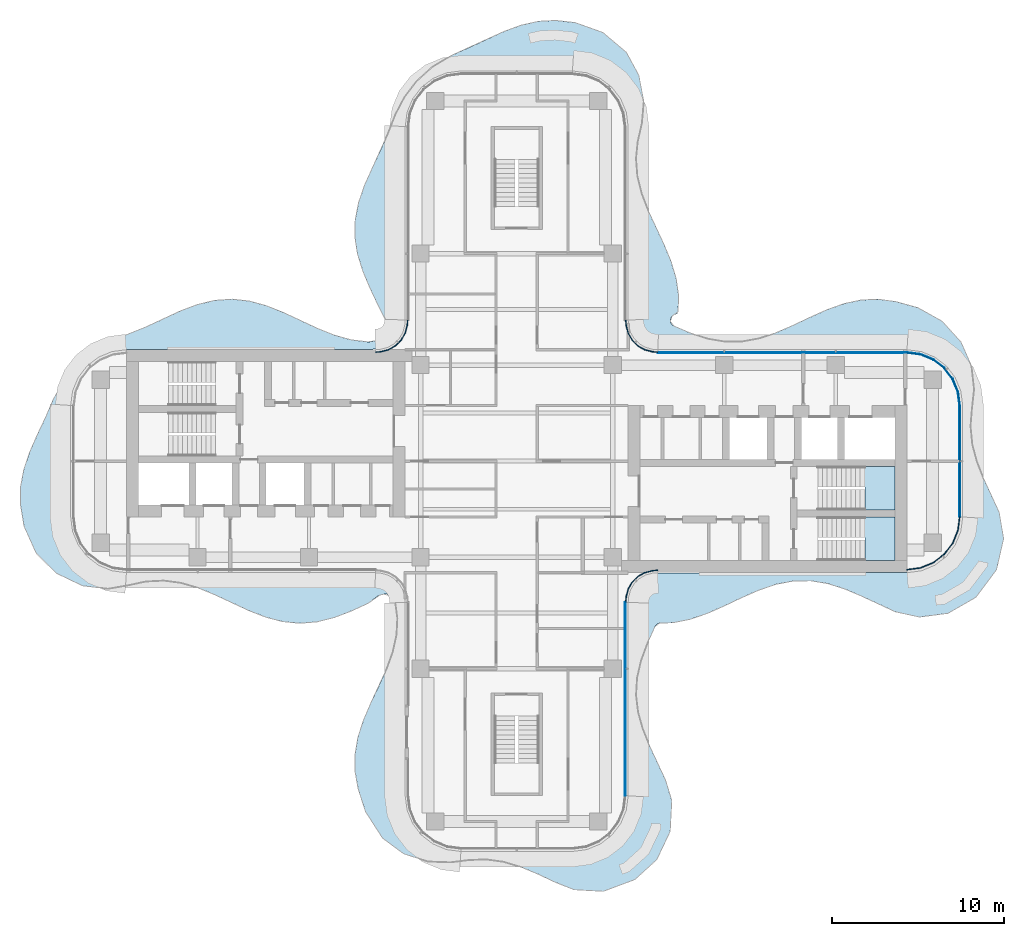
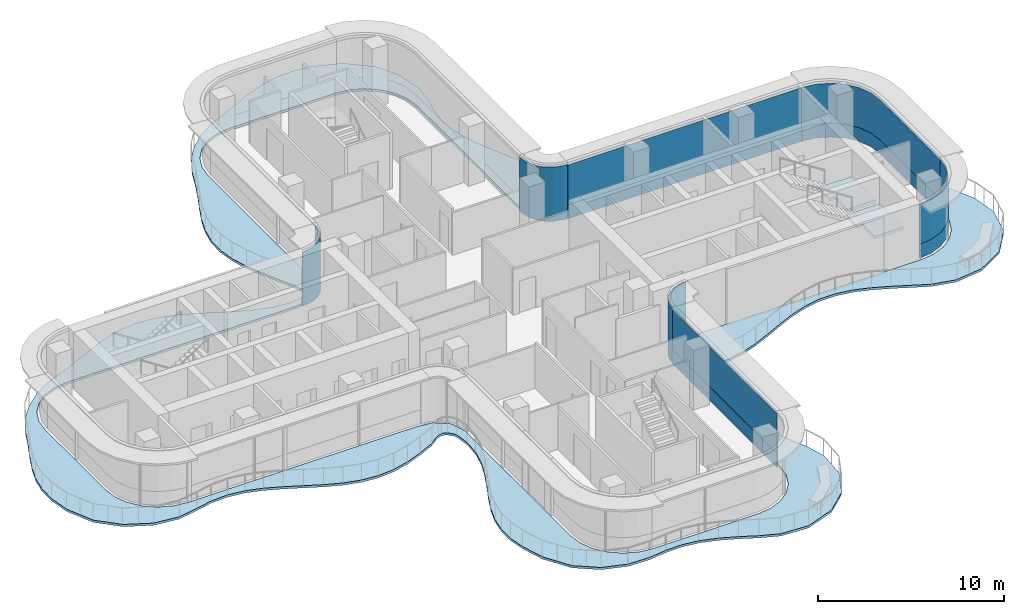
# One storey, part 9 of 16: 11 plates, 3 slabs, 9 elements without a shape of their own.
"""IFC4 building model written with IfcOpenShell, lengths in metres."""

from ifc_helpers import new_model, si_unit, direction, frame, origin, place, context, subcontext, project, spatial, polyline, outline, extrude, source, transform, mapped, material, layer, layer_set, type_object, element, aggregate, save


model = new_model("IFC4")

# Units and contexts
model_context = context("Model", 3, precision=1e-05, world=origin(), true_north=direction((0.0, 1.0)))
body_context = subcontext(model_context, "Body", "Model", "MODEL_VIEW")
ifc_project = project(units=[si_unit("LENGTHUNIT", "METRE"), si_unit("AREAUNIT", "SQUARE_METRE"), si_unit("VOLUMEUNIT", "CUBIC_METRE"), si_unit("PLANEANGLEUNIT", "RADIAN"), si_unit("MASSUNIT", "GRAM", prefix="KILO")], contexts=[model_context])

# Site, building, storey
site_placement = place(None, origin())
site = spatial("IfcSite", under=ifc_project, at=site_placement, CompositionType="ELEMENT")
building_placement = place(site_placement, origin())
building = spatial("IfcBuilding", under=site, at=building_placement, Name="Trellis Farm Tower", CompositionType="ELEMENT")
storey_placement = place(building_placement, frame((0.0, 0.0, 298.89990234375)))
storey = spatial("IfcBuildingStorey", under=building, at=storey_placement, Name="L67", CompositionType="ELEMENT", Elevation=298.89990234375)

# Slab
ifc_material_1 = material(Name="Concrete C40/50", Category="concrete")
ifc_layer_1 = layer(ifc_material_1, 0.14990234375)
ifc_layer_set_1 = layer_set([ifc_layer_1], Name="Balcony slab 150")
slab_type_1 = type_object("IfcSlabType", Name="Balcony slab 150", PredefinedType="FLOOR", material=ifc_layer_set_1)
slab_1_placement = place(storey_placement, frame((0.0, 0.0, -0.14990234375)))
element("IfcSlab", 1, at=slab_1_placement, inside=storey, type_object=slab_type_1, Name="Balcony slab", PredefinedType="FLOOR", context=body_context, shape_type="SweptSolid", body=[
    extrude(outline(polyline([(-19.5810546875, -7.089111328125), (-20.5625, -6.958984375), (-20.576171875, -6.95849609375), (-21.621337890625, -7.011474609375), (-21.633544921875, -7.012939453125), (-22.622802734375, -7.228515625), (-22.629150390625, -7.229736328125), (-23.8251953125, -7.436279296875), (-23.868896484375, -7.4375), (-25.298583984375, -7.2626953125), (-25.34521484375, -7.249267578125), (-26.783203125, -6.560302734375), (-26.822998046875, -6.53271484375), (-27.96240234375, -5.426025390625), (-27.980712890625, -5.404541015625), (-28.000732421875, -5.3759765625), (-28.0146484375, -5.351806640625), (-28.708740234375, -3.818603515625), (-28.72021484375, -3.78125), (-28.927490234375, -2.525634765625), (-28.929443359375, -2.49951171875), (-28.919189453125, -1.496826171875), (-28.91650390625, -1.470703125), (-28.733642578125, -0.498046875), (-28.728515625, -0.47802734375), (-28.404541015625, 0.486083984375), (-28.39990234375, 0.498291015625), (-27.9658203125, 1.493896484375), (-27.9638671875, 1.498291015625), (-27.487548828125, 2.502197265625), (-27.486572265625, 2.504638671875), (-27.00439453125, 3.619873046875), (-26.997314453125, 3.63427734375), (-26.3955078125, 4.697021484375), (-26.379150390625, 4.720703125), (-25.636474609375, 5.589599609375), (-25.620361328125, 5.60595703125), (-24.7685546875, 6.33935546875), (-24.75, 6.35302734375), (-23.772216796875, 6.9609375), (-23.748779296875, 6.972900390625), (-21.610107421875, 7.826904296875), (-21.6064453125, 7.82861328125), (-19.600830078125, 8.759521484375), (-19.590576171875, 8.763916015625), (-18.62109375, 9.12890625), (-18.603515625, 9.13427734375), (-17.629638671875, 9.370849609375), (-17.60498046875, 9.374755859375), (-16.602294921875, 9.4462890625), (-16.5751953125, 9.44580078125), (-15.603515625, 9.33837890625), (-15.58056640625, 9.334228515625), (-14.623779296875, 9.0732421875), (-14.60791015625, 9.06787109375), (-13.606689453125, 8.67041015625), (-13.5986328125, 8.6669921875), (-11.601806640625, 7.736572265625), (-11.597900390625, 7.73486328125), (-10.6318359375, 7.34814453125), (-10.6240234375, 7.345703125), (-9.643310546875, 7.072509765625), (-9.6318359375, 7.0703125), (-8.66748046875, 6.957763671875), (-8.656494140625, 6.957275390625), (-8.5673828125, 6.9599609375), (-8.556884765625, 6.961181640625), (-7.95068359375, 7.068115234375), (-7.936279296875, 7.072021484375), (-7.827880859375, 7.11474609375), (-7.802978515625, 7.130615234375), (-7.719970703125, 7.212158203125), (-7.710205078125, 7.2236328125), (-7.53857421875, 7.476806640625), (-7.530517578125, 7.4921875), (-7.482666015625, 7.6171875), (-7.47802734375, 7.650634765625), (-7.490966796875, 7.78369140625), (-7.49462890625, 7.801025390625), (-7.643310546875, 8.23046875), (-7.647216796875, 8.23974609375), (-8.086181640625, 9.108642578125), (-8.088134765625, 9.1123046875), (-8.555419921875, 10.10107421875), (-8.55810546875, 10.10693359375), (-8.972412109375, 11.091552734375), (-8.9775390625, 11.10546875), (-9.27978515625, 12.08251953125), (-9.284912109375, 12.10400390625), (-9.434326171875, 13.075927734375), (-9.43603515625, 13.102294921875), (-9.41259765625, 14.075439453125), (-9.409912109375, 14.101318359375), (-9.215087890625, 15.080810546875), (-9.209716796875, 15.1005859375), (-8.8681640625, 16.0888671875), (-8.863525390625, 16.1005859375), (-8.423095703125, 17.0966796875), (-8.42138671875, 17.100341796875), (-7.9453125, 18.103515625), (-7.9443359375, 18.105712890625), (-7.5126953125, 19.09033203125), (-7.511474609375, 19.09326171875), (-7.083251953125, 20.1953125), (-7.076171875, 20.210693359375), (-6.5419921875, 21.22998046875), (-6.5283203125, 21.251220703125), (-5.847900390625, 22.142578125), (-5.82958984375, 22.16259765625), (-4.950927734375, 22.961181640625), (-4.927734375, 22.978515625), (-3.86376953125, 23.623779296875), (-3.84716796875, 23.63232421875), (-2.75146484375, 24.12109375), (-2.75048828125, 24.12158203125), (-0.7607421875, 25.04296875), (-0.74951171875, 25.047607421875), (0.230224609375, 25.406982421875), (0.248779296875, 25.412353515625), (1.251220703125, 25.63916015625), (1.276123046875, 25.642578125), (2.25, 25.6943359375), (2.2744140625, 25.693603515625), (3.3916015625, 25.57080078125), (3.425537109375, 25.56298828125), (4.99853515625, 25.000732421875), (5.023193359375, 24.9892578125), (5.05322265625, 24.971923828125), (5.0751953125, 24.956298828125), (6.371337890625, 23.854736328125), (6.390869140625, 23.83447265625), (6.413818359375, 23.80615234375), (6.42919921875, 23.78271484375), (7.116455078125, 22.497802734375), (7.131591796875, 22.454833984375), (7.40576171875, 21.001953125), (7.40771484375, 20.9609375), (7.294677734375, 19.68994140625), (7.29150390625, 19.669677734375), (7.052490234375, 18.626220703125), (7.05078125, 18.616943359375), (6.953857421875, 17.63818359375), (6.95361328125, 17.625), (7.03125, 16.635986328125), (7.033203125, 16.62353515625), (7.29248046875, 15.5869140625), (7.295166015625, 15.578369140625), (7.67333984375, 14.59521484375), (7.67529296875, 14.59033203125), (8.596435546875, 12.61181640625), (8.59912109375, 12.605712890625), (9.005859375, 11.62158203125), (9.010986328125, 11.60693359375), (9.30078125, 10.630615234375), (9.3056640625, 10.6083984375), (9.439697265625, 9.636474609375), (9.441162109375, 9.610107421875), (9.40478515625, 8.712158203125), (9.375, 8.628173828125), (9.302490234375, 8.575927734375), (9.1953125, 8.5400390625), (9.178955078125, 8.532470703125), (9.060791015625, 8.457763671875), (9.036376953125, 8.43212890625), (8.970703125, 8.319091796875), (8.960693359375, 8.28515625), (8.955322265625, 8.154296875), (8.962158203125, 8.119873046875), (9.017822265625, 8.00146484375), (9.040283203125, 7.97412109375), (9.151611328125, 7.889404296875), (9.167236328125, 7.88037109375), (10.092529296875, 7.48095703125), (10.09912109375, 7.478515625), (11.12890625, 7.14404296875), (11.139404296875, 7.141357421875), (12.1328125, 6.972900390625), (12.14599609375, 6.9716796875), (13.13134765625, 6.97900390625), (13.144287109375, 6.980224609375), (14.125, 7.1591796875), (14.135009765625, 7.161865234375), (15.08740234375, 7.47607421875), (15.09375, 7.478515625), (16.09814453125, 7.912109375), (16.1005859375, 7.9130859375), (17.1005859375, 8.3876953125), (17.103515625, 8.388916015625), (18.09130859375, 8.830810546875), (18.10205078125, 8.835205078125), (19.081787109375, 9.18408203125), (19.1005859375, 9.189208984375), (20.073974609375, 9.397705078125), (20.09912109375, 9.40087890625), (21.07080078125, 9.44140625), (21.097900390625, 9.440185546875), (22.100341796875, 9.301025390625), (22.11962890625, 9.297119140625), (23.3837890625, 8.94775390625), (23.417236328125, 8.933837890625), (24.804443359375, 8.1552734375), (24.8427734375, 8.12451171875), (25.89599609375, 6.9482421875), (25.921875, 6.907958984375), (26.50732421875, 5.56005859375), (26.518798828125, 5.51611328125), (26.659423828125, 4.1923828125), (26.6591796875, 4.159912109375), (26.52978515625, 2.99755859375), (26.529541015625, 2.995361328125), (26.453369140625, 2.0361328125), (26.453369140625, 2.022705078125), (26.556884765625, 0.97802734375), (26.55908203125, 0.966064453125), (26.822509765625, -0.0146484375), (26.824951171875, -0.022705078125), (27.20458984375, -0.9873046875), (27.206298828125, -0.9912109375), (28.122314453125, -2.9794921875), (28.1337890625, -3.017578125), (28.379638671875, -4.48876953125), (28.381591796875, -4.518798828125), (28.380126953125, -4.556396484375), (28.376220703125, -4.585693359375), (27.96484375, -6.328125), (27.95458984375, -6.357421875), (27.937744140625, -6.393798828125), (27.921630859375, -6.420166015625), (26.815185546875, -7.88671875), (26.794921875, -7.90869140625), (26.765869140625, -7.934326171875), (26.741455078125, -7.951904296875), (25.199951171875, -8.841796875), (25.173095703125, -8.853759765625), (25.13671875, -8.8662109375), (25.10791015625, -8.872802734375), (23.4853515625, -9.08349609375), (23.459228515625, -9.08447265625), (23.42529296875, -9.0830078125), (23.399169921875, -9.079345703125), (22.09814453125, -8.78466796875), (22.068115234375, -8.7744140625), (20.1083984375, -7.8662109375), (20.106201171875, -7.864990234375), (19.120849609375, -7.4462890625), (19.114013671875, -7.44384765625), (18.132568359375, -7.13330078125), (18.1220703125, -7.130615234375), (17.140869140625, -6.97021484375), (17.1279296875, -6.969482421875), (16.1416015625, -6.982421875), (16.128662109375, -6.983642578125), (15.134521484375, -7.171142578125), (15.12451171875, -7.173828125), (14.123779296875, -7.51220703125), (14.117919921875, -7.514404296875), (13.11328125, -7.955078125), (13.111083984375, -7.955810546875), (12.112548828125, -8.429931640625), (12.10888671875, -8.431640625), (11.121826171875, -8.867431640625), (11.1103515625, -8.8720703125), (10.13134765625, -9.209716796875), (10.11181640625, -9.215087890625), (9.137939453125, -9.4091796875), (9.114013671875, -9.412109375), (8.31689453125, -9.440185546875), (8.28662109375, -9.447998046875), (8.17431640625, -9.50341796875), (8.1484375, -9.524658203125), (8.067626953125, -9.6298828125), (8.058837890625, -9.64453125), (7.627197265625, -10.593017578125), (7.625244140625, -10.59814453125), (7.24658203125, -11.622802734375), (7.243896484375, -11.632080078125), (7.01513671875, -12.6279296875), (7.013427734375, -12.640380859375), (6.9560546875, -13.628662109375), (6.956298828125, -13.641845703125), (7.07470703125, -14.623779296875), (7.0771484375, -14.635009765625), (7.341064453125, -15.57958984375), (7.34375, -15.58740234375), (7.752685546875, -16.60791015625), (7.75439453125, -16.61181640625), (8.67138671875, -18.578857421875), (8.6787109375, -18.59814453125), (9.04052734375, -19.7783203125), (9.046142578125, -19.8046875), (9.05029296875, -19.839111328125), (9.05078125, -19.86572265625), (8.948974609375, -21.55322265625), (8.944580078125, -21.581787109375), (8.93505859375, -21.618408203125), (8.925048828125, -21.6455078125), (8.182373046875, -23.193603515625), (8.167236328125, -23.218505859375), (8.144775390625, -23.248779296875), (8.125, -23.270263671875), (6.89453125, -24.382080078125), (6.87158203125, -24.399169921875), (6.83984375, -24.418212890625), (6.814208984375, -24.4306640625), (5.117431640625, -25.055419921875), (5.08837890625, -25.062744140625), (5.05078125, -25.068603515625), (5.02001953125, -25.0703125), (3.39013671875, -24.98583984375), (3.3427734375, -24.9755859375), (2.257568359375, -24.5458984375), (2.248779296875, -24.5419921875), (1.257568359375, -24.0751953125), (1.25439453125, -24.07373046875), (0.269775390625, -23.66259765625), (0.262451171875, -23.66015625), (-0.77001953125, -23.350341796875), (-0.781005859375, -23.347900390625), (-1.773193359375, -23.210693359375), (-1.7861328125, -23.2099609375), (-2.760009765625, -23.245361328125), (-2.7666015625, -23.24609375), (-3.835693359375, -23.379638671875), (-3.85888671875, -23.380859375), (-5.135986328125, -23.341552734375), (-5.176513671875, -23.334716796875), (-6.544677734375, -22.903076171875), (-6.5888671875, -22.880615234375), (-7.8173828125, -21.97119140625), (-7.837890625, -21.952880859375), (-7.862060546875, -21.92724609375), (-7.87890625, -21.9052734375), (-8.7998046875, -20.452880859375), (-8.81591796875, -20.418701171875), (-9.24072265625, -19.0966796875), (-9.245361328125, -19.077880859375), (-9.4189453125, -18.12744140625), (-9.42138671875, -18.101806640625), (-9.43017578125, -17.12939453125), (-9.427978515625, -17.10302734375), (-9.26318359375, -16.124755859375), (-9.258056640625, -16.103759765625), (-8.940185546875, -15.116943359375), (-8.935302734375, -15.10400390625), (-8.50830078125, -14.109130859375), (-8.506103515625, -14.10400390625), (-8.03125, -13.10205078125), (-8.030517578125, -13.1005859375), (-7.57958984375, -12.095458984375), (-7.577392578125, -12.090087890625), (-7.231689453125, -11.13232421875), (-7.22900390625, -11.123291015625), (-7.01025390625, -10.142578125), (-7.008544921875, -10.130126953125), (-6.95703125, -9.14892578125), (-6.957763671875, -9.135009765625), (-7.074951171875, -8.28564453125), (-7.081787109375, -8.26318359375), (-7.164794921875, -8.093017578125), (-7.177978515625, -8.07421875), (-7.389892578125, -7.852294921875), (-7.405029296875, -7.840087890625), (-7.532958984375, -7.76171875), (-7.569091796875, -7.7509765625), (-7.71923828125, -7.746337890625), (-7.73828125, -7.748291015625), (-7.970947265625, -7.80224609375), (-7.986328125, -7.8076171875), (-8.10888671875, -7.866455078125), (-8.122314453125, -7.874755859375), (-8.616943359375, -8.2578125), (-8.64599609375, -8.275390625), (-9.61181640625, -8.720703125), (-9.62060546875, -8.724365234375), (-10.611572265625, -9.10595703125), (-10.628662109375, -9.111328125), (-11.611328125, -9.360107421875), (-11.635498046875, -9.3642578125), (-12.6103515625, -9.447509765625), (-12.63720703125, -9.447265625), (-13.60888671875, -9.35546875), (-13.632568359375, -9.351318359375), (-14.607421875, -9.09765625), (-14.623779296875, -9.09228515625), (-15.605712890625, -8.710205078125), (-15.614501953125, -8.706298828125), (-17.59375, -7.784423828125), (-17.596923828125, -7.782958984375), (-18.58154296875, -7.3798828125), (-18.5888671875, -7.37744140625), (-19.570068359375, -7.09130859375), (-19.5810546875, -7.089111328125)]), holes=[polyline([(-6.82470703125, 7.20947265625), (-6.8583984375, 7.1640625), (-6.89111328125, 7.1318359375), (-7.57177734375, 6.643310546875), (-7.605712890625, 6.625), (-7.6513671875, 6.607666015625), (-7.68896484375, 6.5986328125), (-8.594482421875, 6.501708984375), (-8.610595703125, 6.5009765625), (-14.1201171875, 6.50048828125), (-22.75, 6.50048828125), (-23.59130859375, 6.389892578125), (-24.375244140625, 6.065185546875), (-25.048583984375, 5.548583984375), (-25.565185546875, 4.875244140625), (-25.889892578125, 4.09130859375), (-26.00048828125, 3.25), (-26.00048828125, -3.25), (-25.889892578125, -4.09130859375), (-25.565185546875, -4.875244140625), (-25.048583984375, -5.548583984375), (-24.375244140625, -6.065185546875), (-23.59130859375, -6.389892578125), (-22.75, -6.50048828125), (-8.61767578125, -6.50048828125), (-8.61328125, -6.500732421875), (-7.68896484375, -6.5986328125), (-7.6513671875, -6.607666015625), (-7.605712890625, -6.625), (-7.57177734375, -6.643310546875), (-6.89111328125, -7.1318359375), (-6.8583984375, -7.1640625), (-6.82470703125, -7.20947265625), (-6.802734375, -7.25146484375), (-6.515380859375, -8.11474609375), (-6.5078125, -8.162109375), (-6.50048828125, -18.239013671875), (-6.50048828125, -19.5), (-6.389892578125, -20.34130859375), (-6.065185546875, -21.125244140625), (-5.548583984375, -21.798583984375), (-4.875244140625, -22.315185546875), (-4.09130859375, -22.639892578125), (-3.25, -22.75048828125), (3.25, -22.75048828125), (4.09130859375, -22.639892578125), (4.875244140625, -22.315185546875), (5.548583984375, -21.798583984375), (6.065185546875, -21.125244140625), (6.389892578125, -20.34130859375), (6.50048828125, -19.5), (6.50048828125, -8.614990234375), (6.500732421875, -8.610107421875), (6.599365234375, -7.686279296875), (6.6083984375, -7.6484375), (6.6259765625, -7.602783203125), (6.644287109375, -7.568603515625), (7.134521484375, -6.889404296875), (7.166748046875, -6.856689453125), (7.2119140625, -6.822998046875), (7.254150390625, -6.80126953125), (8.117919921875, -6.51513671875), (8.164794921875, -6.507568359375), (20.985107421875, -6.50048828125), (22.75, -6.50048828125), (23.59130859375, -6.389892578125), (24.375244140625, -6.065185546875), (25.048583984375, -5.548583984375), (25.565185546875, -4.875244140625), (25.889892578125, -4.09130859375), (26.00048828125, -3.25), (26.00048828125, 3.25), (25.889892578125, 4.09130859375), (25.565185546875, 4.875244140625), (25.048583984375, 5.548583984375), (24.375244140625, 6.065185546875), (23.59130859375, 6.389892578125), (22.75, 6.50048828125), (20.985107421875, 6.50048828125), (8.164794921875, 6.507568359375), (8.117919921875, 6.51513671875), (7.254150390625, 6.80126953125), (7.2119140625, 6.822998046875), (7.166748046875, 6.856689453125), (7.134521484375, 6.889404296875), (6.644287109375, 7.568603515625), (6.6259765625, 7.602783203125), (6.6083984375, 7.6484375), (6.599365234375, 7.686279296875), (6.500732421875, 8.610107421875), (6.50048828125, 8.614990234375), (6.50048828125, 19.5), (6.389892578125, 20.34130859375), (6.065185546875, 21.125244140625), (5.548583984375, 21.798583984375), (4.875244140625, 22.315185546875), (4.09130859375, 22.639892578125), (3.25, 22.75048828125), (-3.25, 22.75048828125), (-4.09130859375, 22.639892578125), (-4.875244140625, 22.315185546875), (-5.548583984375, 21.798583984375), (-6.065185546875, 21.125244140625), (-6.389892578125, 20.34130859375), (-6.50048828125, 19.5), (-6.50048828125, 17.03369140625), (-6.5078125, 8.162109375), (-6.515380859375, 8.11474609375), (-6.802734375, 7.25146484375), (-6.82470703125, 7.20947265625)])]), origin(), (0.0, 0.0, 1.0), 0.14990234375),
])

# Stair, slab
ifc_material_2 = material(Name="Concrete C50/60", Category="concrete")
stair_type = type_object("IfcStairType", Name="CORE EXIT STAIR 22 RISERS 177 MM", PredefinedType="HALF_TURN_STAIR", material=ifc_material_2)
placement_1 = place(storey_placement, origin())
stair_1 = element("IfcStair", 2, at=placement_1, inside=storey, type_object=stair_type, Name="Exit stair E1", PredefinedType="HALF_TURN_STAIR")
ifc_layer_2 = layer(ifc_material_2, 0.18994140625)
ifc_layer_set_2 = layer_set([ifc_layer_2], Name="CORE STAIR LANDING 190 CONCRETE C50/60")
slab_type_2 = type_object("IfcSlabType", Name="CORE STAIR LANDING 190 CONCRETE C50/60", PredefinedType="LANDING", material=ifc_layer_set_2)
shared_shape_1 = source(origin(), body_context, "Body", "SweptSolid", [
    extrude(outline(polyline([(20.2900390625, -5.800048828125), (20.2900390625, -4.60009765625), (20.300048828125, -4.60009765625), (20.300048828125, -4.449951171875), (19.971923828125, -4.449951171875), (19.971923828125, -3.25), (20.300048828125, -3.25), (22.050048828125, -3.25), (22.050048828125, -5.800048828125), (20.300048828125, -5.800048828125), (20.2900390625, -5.800048828125)])), origin(), (0.0, 0.0, 1.0), 0.190185546875),
])
placement_2 = place(storey_placement, frame((0.0, 0.0, 1.760009765625)))
slab_2 = element("IfcSlab", 3, at=placement_2, type_object=slab_type_2, Name="STE1 landing 1", PredefinedType="LANDING", context=body_context, shape_type="MappedRepresentation", body=[
    mapped(shared_shape_1, transform((0.0, 0.0, 0.0))),
])
aggregate(stair_1, [slab_2])

stair_2 = element("IfcStair", 4, at=placement_1, inside=storey, type_object=stair_type, Name="Exit stair E2", PredefinedType="HALF_TURN_STAIR")
shared_shape_2 = source(origin(), body_context, "Body", "SweptSolid", [
    extrude(outline(polyline([(20.2900390625, -2.85009765625), (20.2900390625, -1.64990234375), (20.300048828125, -1.64990234375), (20.300048828125, -1.5), (19.971923828125, -1.5), (19.971923828125, -0.300048828125), (20.300048828125, -0.300048828125), (22.050048828125, -0.300048828125), (22.050048828125, -2.85009765625), (20.300048828125, -2.85009765625), (20.2900390625, -2.85009765625)])), origin(), (0.0, 0.0, 1.0), 0.190185546875),
])
slab_3 = element("IfcSlab", 5, at=placement_2, type_object=slab_type_2, Name="STE2 landing 1", PredefinedType="LANDING", context=body_context, shape_type="MappedRepresentation", body=[
    mapped(shared_shape_2, transform((0.0, 0.0, 0.0))),
])
aggregate(stair_2, [slab_3])

# Curtain wall, plate
ifc_material_3 = material(Name="Aluminium and glass curtain wall", Category="aluminium")
ifc_layer_3 = layer(ifc_material_3, 0.166015625)
ifc_layer_set_3 = layer_set([ifc_layer_3], Name="WINTER GARDEN CURTAIN WALL CW3")
curtain_wall_type_1 = type_object("IfcCurtainWallType", Name="WINTER GARDEN CURTAIN WALL CW3", PredefinedType="NOTDEFINED", material=ifc_layer_set_3)
curtain_wall_1 = element("IfcCurtainWall", 6, at=placement_1, inside=storey, type_object=curtain_wall_type_1, Name="CW3 002", PredefinedType="NOTDEFINED")
ifc_material_4 = material(Name="Clear insulated glass", Category="glass")
ifc_layer_4 = layer(ifc_material_4, 0.0458984375)
ifc_layer_set_4 = layer_set([ifc_layer_4], Name="CW3 GLASS PANEL 46")
plate_type_1 = type_object("IfcPlateType", Name="CW3 GLASS PANEL 46", PredefinedType="CURTAIN_PANEL", material=ifc_layer_set_4)
shared_shape_3 = source(origin(), body_context, "Body", "SweptSolid", [
    extrude(outline(polyline([(6.3798828125, -8.2275390625), (6.394287109375, -8.0078125), (6.40966796875, -7.89208984375), (6.52490234375, -7.462158203125), (6.7509765625, -7.070556640625), (7.070556640625, -6.7509765625), (7.462158203125, -6.52490234375), (7.89208984375, -6.40966796875), (8.0078125, -6.394287109375), (8.2275390625, -6.3798828125), (8.22607421875, -6.333984375), (8.003173828125, -6.3486328125), (7.883056640625, -6.364501953125), (7.4443359375, -6.48193359375), (7.04248046875, -6.714111328125), (6.714111328125, -7.04248046875), (6.48193359375, -7.4443359375), (6.364501953125, -7.883056640625), (6.3486328125, -8.003173828125), (6.333984375, -8.22607421875), (6.3798828125, -8.2275390625)])), origin(), (0.0, 0.0, 1.0), 3.550048828125),
])
plate_1 = element("IfcPlate", 7, at=placement_1, type_object=plate_type_1, Name="PL3 002", PredefinedType="CURTAIN_PANEL", context=body_context, shape_type="MappedRepresentation", body=[
    mapped(shared_shape_3, transform((0.0, 0.0, 0.0))),
])
aggregate(curtain_wall_1, [plate_1])

curtain_wall_2 = element("IfcCurtainWall", 8, at=placement_1, inside=storey, type_object=curtain_wall_type_1, Name="CW3 003", PredefinedType="NOTDEFINED")
shared_shape_4 = source(origin(), body_context, "Body", "SweptSolid", [
    extrude(outline(polyline([(8.2275390625, 6.3798828125), (8.0078125, 6.394287109375), (7.89208984375, 6.40966796875), (7.462158203125, 6.52490234375), (7.070556640625, 6.7509765625), (6.7509765625, 7.070556640625), (6.52490234375, 7.462158203125), (6.40966796875, 7.89208984375), (6.394287109375, 8.0078125), (6.3798828125, 8.2275390625), (6.333984375, 8.22607421875), (6.3486328125, 8.003173828125), (6.364501953125, 7.883056640625), (6.48193359375, 7.4443359375), (6.714111328125, 7.04248046875), (7.04248046875, 6.714111328125), (7.4443359375, 6.48193359375), (7.883056640625, 6.364501953125), (8.003173828125, 6.3486328125), (8.22607421875, 6.333984375), (8.2275390625, 6.3798828125)])), origin(), (0.0, 0.0, 1.0), 3.550048828125),
])
plate_2 = element("IfcPlate", 9, at=placement_1, type_object=plate_type_1, Name="PL3 003", PredefinedType="CURTAIN_PANEL", context=body_context, shape_type="MappedRepresentation", body=[
    mapped(shared_shape_4, transform((0.0, 0.0, 0.0))),
])
aggregate(curtain_wall_2, [plate_2])

curtain_wall_3 = element("IfcCurtainWall", 10, at=placement_1, inside=storey, type_object=curtain_wall_type_1, Name="CW3 004", PredefinedType="NOTDEFINED")
shared_shape_5 = source(origin(), body_context, "Body", "SweptSolid", [
    extrude(outline(polyline([(-6.3798828125, 8.2275390625), (-6.394287109375, 8.0078125), (-6.40966796875, 7.89208984375), (-6.52490234375, 7.462158203125), (-6.7509765625, 7.070556640625), (-7.070556640625, 6.7509765625), (-7.462158203125, 6.52490234375), (-7.89208984375, 6.40966796875), (-8.0078125, 6.394287109375), (-8.2275390625, 6.3798828125), (-8.22607421875, 6.333984375), (-8.003173828125, 6.3486328125), (-7.883056640625, 6.364501953125), (-7.4443359375, 6.48193359375), (-7.04248046875, 6.714111328125), (-6.714111328125, 7.04248046875), (-6.48193359375, 7.4443359375), (-6.364501953125, 7.883056640625), (-6.3486328125, 8.003173828125), (-6.333984375, 8.22607421875), (-6.3798828125, 8.2275390625)])), origin(), (0.0, 0.0, 1.0), 3.550048828125),
])
plate_3 = element("IfcPlate", 11, at=placement_1, type_object=plate_type_1, Name="PL3 004", PredefinedType="CURTAIN_PANEL", context=body_context, shape_type="MappedRepresentation", body=[
    mapped(shared_shape_5, transform((0.0, 0.0, 0.0))),
])
aggregate(curtain_wall_3, [plate_3])

# Curtain wall, plates
ifc_layer_5 = layer(ifc_material_3, 0.18994140625)
ifc_layer_set_5 = layer_set([ifc_layer_5], Name="RIBBON CURTAIN WALL CW1")
curtain_wall_type_2 = type_object("IfcCurtainWallType", Name="RIBBON CURTAIN WALL CW1", PredefinedType="NOTDEFINED", material=ifc_layer_set_5)
curtain_wall_4 = element("IfcCurtainWall", 12, at=placement_1, inside=storey, type_object=curtain_wall_type_2, Name="CW1 006", PredefinedType="NOTDEFINED")
ifc_layer_6 = layer(ifc_material_4, 0.0400390625)
ifc_layer_set_6 = layer_set([ifc_layer_6], Name="CW1 GLASS PANEL 40")
plate_type_2 = type_object("IfcPlateType", Name="CW1 GLASS PANEL 40", PredefinedType="CURTAIN_PANEL", material=ifc_layer_set_6)
shared_shape_6 = source(origin(), body_context, "Body", "SweptSolid", [
    extrude(outline(polyline([(22.740234375, -6.35009765625), (23.552001953125, -6.2431640625), (24.29931640625, -5.93359375), (24.941162109375, -5.441162109375), (25.43359375, -4.79931640625), (25.7431640625, -4.052001953125), (25.85009765625, -3.240234375), (25.81005859375, -3.237548828125), (25.7041015625, -4.04150390625), (25.398681640625, -4.779296875), (24.91259765625, -5.41259765625), (24.279296875, -5.898681640625), (23.54150390625, -6.2041015625), (22.737548828125, -6.31005859375), (22.740234375, -6.35009765625)])), origin(), (0.0, 0.0, 1.0), 2.619873046875),
])
placement_3 = place(storey_placement, frame((0.0, 0.0, 0.900146484375)))
plate_4 = element("IfcPlate", 13, at=placement_3, type_object=plate_type_2, Name="PL1 006", PredefinedType="CURTAIN_PANEL", context=body_context, shape_type="MappedRepresentation", body=[
    mapped(shared_shape_6, transform((0.0, 0.0, 0.0))),
])
ifc_material_5 = material(Name="Sandstone faced insulated panel", Category="masonry")
ifc_layer_7 = layer(ifc_material_5, 0.050048828125)
ifc_layer_set_7 = layer_set([ifc_layer_7], Name="CW1 STONE SPANDREL PANEL 50")
plate_type_3 = type_object("IfcPlateType", Name="CW1 STONE SPANDREL PANEL 50", PredefinedType="CURTAIN_PANEL", material=ifc_layer_set_7)
shared_shape_7 = source(origin(), body_context, "Body", "SweptSolid", [
    extrude(outline(polyline([(22.740234375, -6.35009765625), (23.552001953125, -6.2431640625), (24.29931640625, -5.93359375), (24.941162109375, -5.441162109375), (25.43359375, -4.79931640625), (25.7431640625, -4.052001953125), (25.85009765625, -3.240234375), (25.800048828125, -3.23681640625), (25.6943359375, -4.0390625), (25.389892578125, -4.774169921875), (24.905517578125, -5.405517578125), (24.274169921875, -5.889892578125), (23.5390625, -6.1943359375), (22.73681640625, -6.300048828125), (22.740234375, -6.35009765625)])), origin(), (0.0, 0.0, 1.0), 0.900146484375),
])
plate_5 = element("IfcPlate", 14, at=placement_1, type_object=plate_type_3, Name="PS1 006", PredefinedType="CURTAIN_PANEL", context=body_context, shape_type="MappedRepresentation", body=[
    mapped(shared_shape_7, transform((0.0, 0.0, 0.0))),
])
aggregate(curtain_wall_4, [plate_4, plate_5])

curtain_wall_5 = element("IfcCurtainWall", 15, at=placement_1, inside=storey, type_object=curtain_wall_type_2, Name="CW1 008", PredefinedType="NOTDEFINED")
shared_shape_8 = source(origin(), body_context, "Body", "SweptSolid", [
    extrude(outline(polyline([(22.740234375, 6.35009765625), (8.2265625, 6.35009765625), (8.22509765625, 6.31005859375), (22.737548828125, 6.31005859375), (22.740234375, 6.35009765625)])), origin(), (0.0, 0.0, 1.0), 2.619873046875),
])
plate_6 = element("IfcPlate", 16, at=placement_3, type_object=plate_type_2, Name="PL1 008", PredefinedType="CURTAIN_PANEL", context=body_context, shape_type="MappedRepresentation", body=[
    mapped(shared_shape_8, transform((0.0, 0.0, 0.0))),
])
shared_shape_9 = source(origin(), body_context, "Body", "SweptSolid", [
    extrude(outline(polyline([(22.740234375, 6.35009765625), (8.2265625, 6.35009765625), (8.224853515625, 6.300048828125), (22.73681640625, 6.300048828125), (22.740234375, 6.35009765625)])), origin(), (0.0, 0.0, 1.0), 0.900146484375),
])
plate_7 = element("IfcPlate", 17, at=placement_1, type_object=plate_type_3, Name="PS1 008", PredefinedType="CURTAIN_PANEL", context=body_context, shape_type="MappedRepresentation", body=[
    mapped(shared_shape_9, transform((0.0, 0.0, 0.0))),
])
aggregate(curtain_wall_5, [plate_6, plate_7])

curtain_wall_6 = element("IfcCurtainWall", 18, at=placement_1, inside=storey, type_object=curtain_wall_type_2, Name="CW1 007", PredefinedType="NOTDEFINED")
shared_shape_10 = source(origin(), body_context, "Body", "SweptSolid", [
    extrude(outline(polyline([(25.85009765625, -3.240234375), (25.85009765625, 3.240234375), (25.7431640625, 4.052001953125), (25.43359375, 4.79931640625), (24.941162109375, 5.441162109375), (24.29931640625, 5.93359375), (23.552001953125, 6.2431640625), (22.740234375, 6.35009765625), (22.737548828125, 6.31005859375), (23.54150390625, 6.2041015625), (24.279296875, 5.898681640625), (24.91259765625, 5.41259765625), (25.398681640625, 4.779296875), (25.7041015625, 4.04150390625), (25.81005859375, 3.237548828125), (25.81005859375, -3.237548828125), (25.85009765625, -3.240234375)])), origin(), (0.0, 0.0, 1.0), 2.619873046875),
])
plate_8 = element("IfcPlate", 19, at=placement_3, type_object=plate_type_2, Name="PL1 007", PredefinedType="CURTAIN_PANEL", context=body_context, shape_type="MappedRepresentation", body=[
    mapped(shared_shape_10, transform((0.0, 0.0, 0.0))),
])
shared_shape_11 = source(origin(), body_context, "Body", "SweptSolid", [
    extrude(outline(polyline([(25.85009765625, -3.240234375), (25.85009765625, 3.240234375), (25.7431640625, 4.052001953125), (25.43359375, 4.79931640625), (24.941162109375, 5.441162109375), (24.29931640625, 5.93359375), (23.552001953125, 6.2431640625), (22.740234375, 6.35009765625), (22.73681640625, 6.300048828125), (23.5390625, 6.1943359375), (24.274169921875, 5.889892578125), (24.905517578125, 5.405517578125), (25.389892578125, 4.774169921875), (25.6943359375, 4.0390625), (25.800048828125, 3.23681640625), (25.800048828125, -3.23681640625), (25.85009765625, -3.240234375)])), origin(), (0.0, 0.0, 1.0), 0.900146484375),
])
plate_9 = element("IfcPlate", 20, at=placement_1, type_object=plate_type_3, Name="PS1 007", PredefinedType="CURTAIN_PANEL", context=body_context, shape_type="MappedRepresentation", body=[
    mapped(shared_shape_11, transform((0.0, 0.0, 0.0))),
])
aggregate(curtain_wall_6, [plate_8, plate_9])

curtain_wall_7 = element("IfcCurtainWall", 21, at=placement_1, inside=storey, type_object=curtain_wall_type_2, Name="CW1 005", PredefinedType="NOTDEFINED")
shared_shape_12 = source(origin(), body_context, "Body", "SweptSolid", [
    extrude(outline(polyline([(6.35009765625, -19.490234375), (6.35009765625, -8.2265625), (6.31005859375, -8.22509765625), (6.31005859375, -19.487548828125), (6.35009765625, -19.490234375)])), origin(), (0.0, 0.0, 1.0), 2.619873046875),
])
plate_10 = element("IfcPlate", 22, at=placement_3, type_object=plate_type_2, Name="PL1 005", PredefinedType="CURTAIN_PANEL", context=body_context, shape_type="MappedRepresentation", body=[
    mapped(shared_shape_12, transform((0.0, 0.0, 0.0))),
])
shared_shape_13 = source(origin(), body_context, "Body", "SweptSolid", [
    extrude(outline(polyline([(6.35009765625, -19.490234375), (6.35009765625, -8.2265625), (6.300048828125, -8.224853515625), (6.300048828125, -19.48681640625), (6.35009765625, -19.490234375)])), origin(), (0.0, 0.0, 1.0), 0.900146484375),
])
plate_11 = element("IfcPlate", 23, at=placement_1, type_object=plate_type_3, Name="PS1 005", PredefinedType="CURTAIN_PANEL", context=body_context, shape_type="MappedRepresentation", body=[
    mapped(shared_shape_13, transform((0.0, 0.0, 0.0))),
])
aggregate(curtain_wall_7, [plate_10, plate_11])

save(model, "model.ifc")
